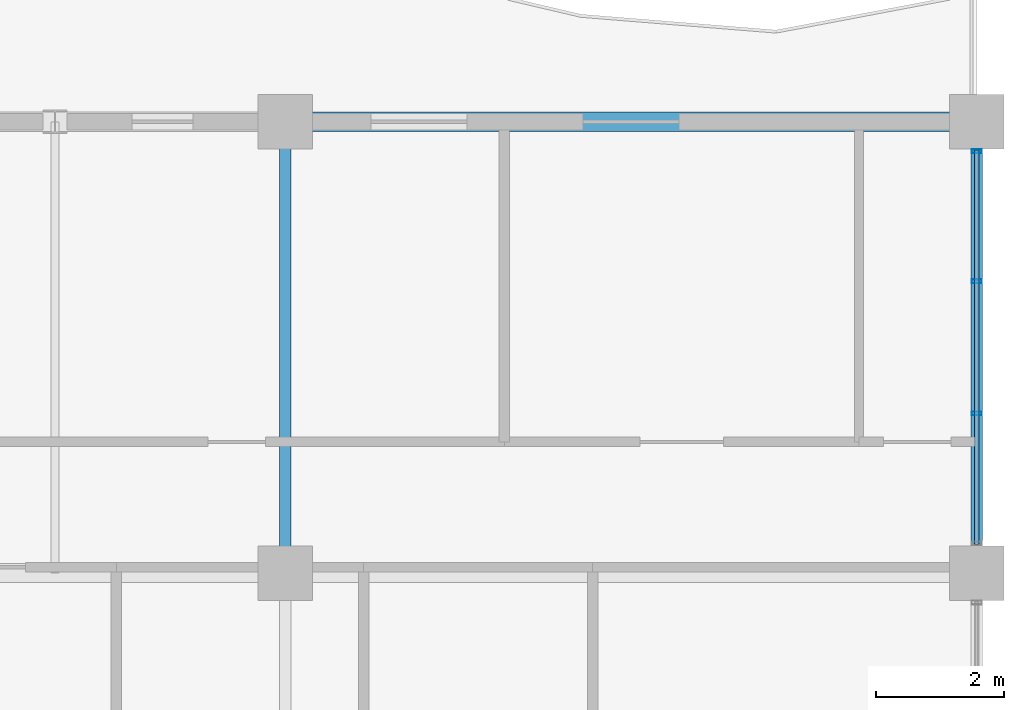
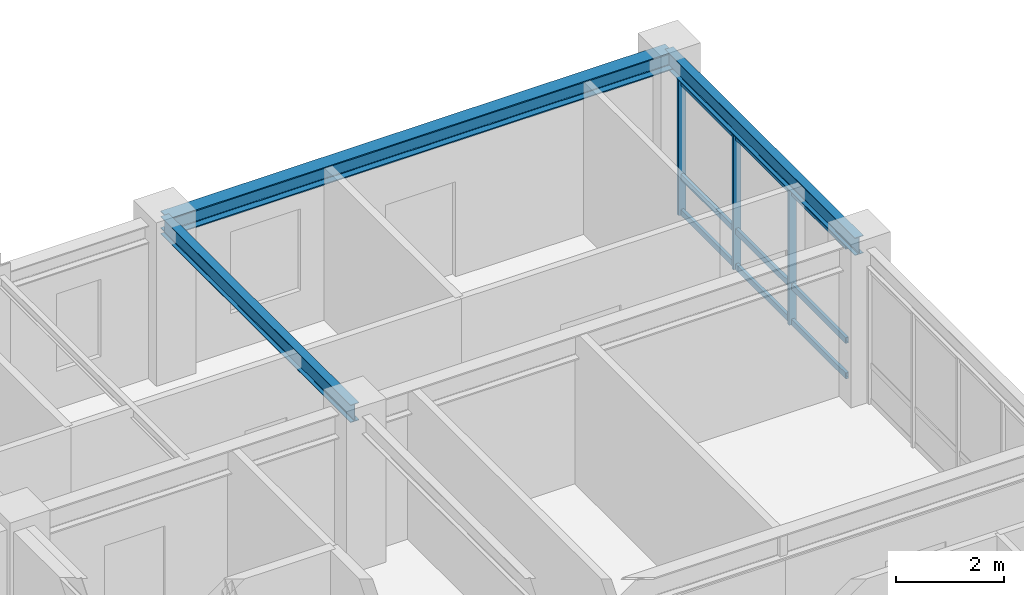
# One storey, part 4 of 10: 6 members, 3 beams, 1 element without a shape of its own.
"""IFC4 building model written with IfcOpenShell, lengths in metres."""

from ifc_helpers import new_model, si_unit, direction, frame, origin, origin_2d, place, context, subcontext, project, spatial, hollow_rectangle, i_section, extrude, source, transform, mapped, material, layer, layer_set, material_profile, profile_set, type_object, element, aggregate, save


model = new_model("IFC4")

# Units and contexts
model_context = context("Model", 3, precision=1e-05, world=origin(), true_north=direction((0.0, 1.0)))
body_context = subcontext(model_context, "Body", "Model", "MODEL_VIEW")
ifc_project = project(units=[si_unit("LENGTHUNIT", "METRE"), si_unit("AREAUNIT", "SQUARE_METRE"), si_unit("VOLUMEUNIT", "CUBIC_METRE"), si_unit("PLANEANGLEUNIT", "RADIAN"), si_unit("MASSUNIT", "GRAM", prefix="KILO")], contexts=[model_context])

# Site, building, storey
site_placement = place(None, origin())
site = spatial("IfcSite", under=ifc_project, at=site_placement, CompositionType="ELEMENT")
building_placement = place(site_placement, origin())
building = spatial("IfcBuilding", under=site, at=building_placement, Name="Kaliganga Portal Commons", CompositionType="ELEMENT")
storey_placement = place(building_placement, frame((0.0, 0.0, 275.800048828125)))
storey = spatial("IfcBuildingStorey", under=building, at=storey_placement, Name="L71", CompositionType="ELEMENT", Elevation=275.800048828125)

# Beams
ifc_material_1 = material(Name="Structural steel S355J2", Category="steel")
ifc_material_profile_1 = material_profile(ifc_material_1, i_section(OverallWidth=0.300048828125, OverallDepth=0.39990234375, WebThickness=0.013427734375, FlangeThickness=0.02392578125, FilletRadius=0.027099609375, at=origin_2d()), Name="HE 400 B")
ifc_profile_set_1 = profile_set([ifc_material_profile_1], Name="Structural steel S355J2 wide-flange")
beam_type_1 = type_object("IfcBeamType", Name="BM-SPAND-400", PredefinedType="SPANDREL", material=ifc_profile_set_1)
shared_shape_1 = source(origin(), body_context, "Body", "SweptSolid", [
    extrude(i_section(OverallWidth=0.300048828125, OverallDepth=0.39990234375, WebThickness=0.013427734375, FlangeThickness=0.02392578125, FilletRadius=0.027099609375, at=origin_2d()), origin(), (0.0, 0.0, 1.0), 10.800048828125),
])
beam_placement = place(storey_placement, frame((36.0, 43.199951171875, 3.27490234375), z_axis=(1.0, 0.0, 0.0), x_axis=(0.0, 1.0, 0.0)))
element("IfcBeam", 1, at=beam_placement, inside=storey, type_object=beam_type_1, Name="BM SP L71 AN 7", PredefinedType="SPANDREL", context=body_context, shape_type="MappedRepresentation", body=[
    mapped(shared_shape_1, transform((0.0, 0.0, 0.0), x_axis=(1.0, 0.0, 0.0), y_axis=(0.0, 1.0, 0.0), z_axis=(0.0, 0.0, 1.0), scale=1.0)),
])
ifc_material_profile_2 = material_profile(ifc_material_1, i_section(OverallWidth=0.179931640625, OverallDepth=0.39990234375, WebThickness=0.008544921875, FlangeThickness=0.013427734375, FilletRadius=0.02099609375, at=origin_2d()), Name="IPE 400")
ifc_profile_set_2 = profile_set([ifc_material_profile_2], Name="Structural steel S355J2 wide-flange")
beam_type_2 = type_object("IfcBeamType", Name="BM-FLR-400", PredefinedType="BEAM", material=ifc_profile_set_2)
shared_shape_2 = source(origin(), body_context, "Body", "SweptSolid", [
    extrude(i_section(OverallWidth=0.179931640625, OverallDepth=0.39990234375, WebThickness=0.008544921875, FlangeThickness=0.013427734375, FilletRadius=0.02099609375, at=origin_2d()), origin(), (0.0, 0.0, 1.0), 7.050048828125),
])
for number, where, z_axis, x_axis, name in (
    (2, (36.0, 36.14990234375, 3.27490234375), (0.0, 1.0, 0.0), (-1.0, 0.0, 0.0), "BM G L71 AN360"),
    (3, (46.800048828125, 36.14990234375, 3.27490234375), (0.0, 1.0, 0.0), (-1.0, 0.0, 0.0), "BM G L71 AN468"),
):
    element("IfcBeam", number, at=place(storey_placement, frame(where, z_axis=z_axis, x_axis=x_axis)), inside=storey, type_object=beam_type_2, Name=name, PredefinedType="BEAM", context=body_context, shape_type="MappedRepresentation", body=[
        mapped(shared_shape_2, transform((0.0, 0.0, 0.0), x_axis=(1.0, 0.0, 0.0), y_axis=(0.0, 1.0, 0.0), z_axis=(0.0, 0.0, 1.0), scale=1.0)),
    ])

# Curtain wall, members
ifc_material_2 = material(Name="Anodized Aluminium and Laminated Low-E Glass", Category="aluminium")
ifc_layer = layer(ifc_material_2, 0.18994140625)
ifc_layer_set = layer_set([ifc_layer], Name="Anodized Aluminium and Laminated Low-E Glass")
curtain_wall_type = type_object("IfcCurtainWallType", Name="CW-SYS-05", PredefinedType="NOTDEFINED", material=ifc_layer_set)
curtain_wall_placement = place(storey_placement, origin())
curtain_wall = element("IfcCurtainWall", 4, at=curtain_wall_placement, inside=storey, type_object=curtain_wall_type, Name="CW 05 L71 P1E01S3", PredefinedType="NOTDEFINED")
ifc_material_3 = material(Name="Dark Bronze Anodized Aluminium", Category="aluminium")
ifc_material_profile_3 = material_profile(ifc_material_3, hollow_rectangle(XDim=0.06005859375, YDim=0.159912109375, WallThickness=0.00341796875, at=origin_2d()), Name="ALU MULL 60x160x3.5")
ifc_profile_set_3 = profile_set([ifc_material_profile_3], Name="Dark Bronze Anodized Aluminium")
member_type_1 = type_object("IfcMemberType", Name="CW-MUL-160", PredefinedType="MULLION", material=ifc_profile_set_3)
shared_shape_3 = source(origin(), body_context, "Body", "SweptSolid", [
    extrude(hollow_rectangle(XDim=0.06005859375, YDim=0.159912109375, WallThickness=0.00341796875, at=origin_2d()), origin(), (0.0, 0.0, 1.0), 3.074951171875),
])
member_1_placement = place(storey_placement, frame((46.800048828125, 38.64208984375, 0.0), z_axis=(0.0, 0.0, 1.0), x_axis=(0.0, 1.0, 0.0)))
member_1 = element("IfcMember", 5, at=member_1_placement, type_object=member_type_1, Name="CW:05:L71:P1E01S3 Mullion 01", PredefinedType="MULLION", context=body_context, shape_type="MappedRepresentation", body=[
    mapped(shared_shape_3, transform((0.0, 0.0, 0.0), x_axis=(1.0, 0.0, 0.0), y_axis=(0.0, 1.0, 0.0), z_axis=(0.0, 0.0, 1.0), scale=1.0)),
])
member_2_placement = place(storey_placement, frame((46.800048828125, 40.7080078125, 0.0), z_axis=(0.0, 0.0, 1.0), x_axis=(0.0, 1.0, 0.0)))
member_2 = element("IfcMember", 6, at=member_2_placement, type_object=member_type_1, Name="CW:05:L71:P1E01S3 Mullion 02", PredefinedType="MULLION", context=body_context, shape_type="MappedRepresentation", body=[
    mapped(shared_shape_3, transform((0.0, 0.0, 0.0), x_axis=(1.0, 0.0, 0.0), y_axis=(0.0, 1.0, 0.0), z_axis=(0.0, 0.0, 1.0), scale=1.0)),
])
member_3_placement = place(storey_placement, frame((46.800048828125, 42.739013671875, 0.0), z_axis=(0.0, 0.0, 1.0), x_axis=(0.0, 1.0, 0.0)))
member_3 = element("IfcMember", 7, at=member_3_placement, type_object=member_type_1, Name="CW:05:L71:P1E01S3 Mullion 03", PredefinedType="MULLION", context=body_context, shape_type="MappedRepresentation", body=[
    mapped(shared_shape_3, transform((0.0, 0.0, 0.0), x_axis=(1.0, 0.0, 0.0), y_axis=(0.0, 1.0, 0.0), z_axis=(0.0, 0.0, 1.0), scale=1.0)),
])
ifc_material_profile_4 = material_profile(ifc_material_3, hollow_rectangle(XDim=0.06494140625, YDim=0.135009765625, WallThickness=0.00341796875, at=origin_2d()), Name="ALU TRAN 65x135x3.5")
ifc_profile_set_4 = profile_set([ifc_material_profile_4], Name="Dark Bronze Anodized Aluminium")
member_type_2 = type_object("IfcMemberType", Name="CW-TRN-135", PredefinedType="USERDEFINED", material=ifc_profile_set_4)
shared_shape_4 = source(origin(), body_context, "Body", "SweptSolid", [
    extrude(hollow_rectangle(XDim=0.06494140625, YDim=0.135009765625, WallThickness=0.00341796875, at=origin_2d()), origin(), (0.0, 0.0, 1.0), 6.157958984375),
])
member_4_placement = place(storey_placement, frame((46.800048828125, 36.595947265625, 0.06005859375), z_axis=(0.0, 1.0, 0.0), x_axis=(-1.0, 0.0, 0.0)))
member_4 = element("IfcMember", 8, at=member_4_placement, type_object=member_type_2, Name="CW:05:L71:P1E01S3 Transom 1", ObjectType="TRANSOM", PredefinedType="USERDEFINED", context=body_context, shape_type="MappedRepresentation", body=[
    mapped(shared_shape_4, transform((0.0, 0.0, 0.0), x_axis=(1.0, 0.0, 0.0), y_axis=(0.0, 1.0, 0.0), z_axis=(0.0, 0.0, 1.0), scale=1.0)),
])
member_5_placement = place(storey_placement, frame((46.800048828125, 36.595947265625, 0.86083984375), z_axis=(0.0, 1.0, 0.0), x_axis=(-1.0, 0.0, 0.0)))
member_5 = element("IfcMember", 9, at=member_5_placement, type_object=member_type_2, Name="CW:05:L71:P1E01S3 Transom 2", ObjectType="TRANSOM", PredefinedType="USERDEFINED", context=body_context, shape_type="MappedRepresentation", body=[
    mapped(shared_shape_4, transform((0.0, 0.0, 0.0), x_axis=(1.0, 0.0, 0.0), y_axis=(0.0, 1.0, 0.0), z_axis=(0.0, 0.0, 1.0), scale=1.0)),
])
member_6_placement = place(storey_placement, frame((46.800048828125, 36.595947265625, 2.994873046875), z_axis=(0.0, 1.0, 0.0), x_axis=(-1.0, 0.0, 0.0)))
member_6 = element("IfcMember", 10, at=member_6_placement, type_object=member_type_2, Name="CW:05:L71:P1E01S3 Transom 3", ObjectType="TRANSOM", PredefinedType="USERDEFINED", context=body_context, shape_type="MappedRepresentation", body=[
    mapped(shared_shape_4, transform((0.0, 0.0, 0.0), x_axis=(1.0, 0.0, 0.0), y_axis=(0.0, 1.0, 0.0), z_axis=(0.0, 0.0, 1.0), scale=1.0)),
])
aggregate(curtain_wall, [member_1, member_2, member_3, member_4, member_5, member_6])

save(model, "model.ifc")
